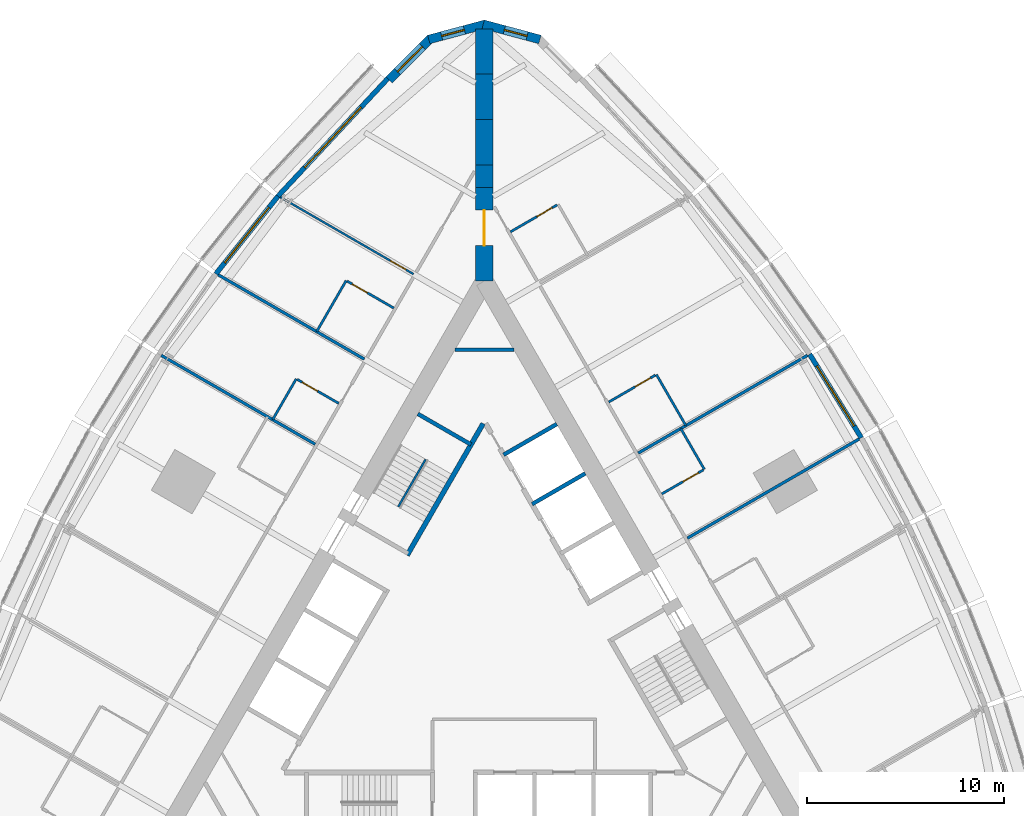
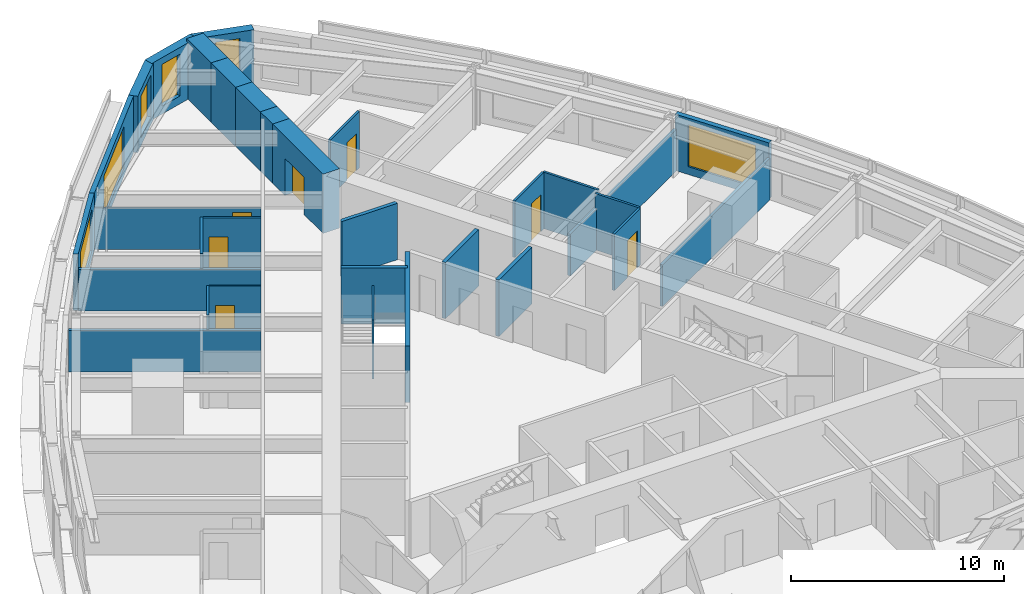
# One storey, part 12 of 14: 31 walls, 7 doors, 6 windows, 13 openings.
"""IFC4 building model written with IfcOpenShell, lengths in metres."""

from ifc_helpers import new_model, si_unit, direction, frame, frame_2d, origin, place, context, subcontext, project, spatial, polyline, rectangle, outline, extrude, material, layer, layer_set, type_object, element, fill, save


model = new_model("IFC4")

# Units and contexts
model_context = context("Model", 3, precision=1e-05, world=origin(), true_north=direction((0.0, 1.0)))
body_context = subcontext(model_context, "Body", "Model", "MODEL_VIEW")
ifc_project = project(units=[si_unit("LENGTHUNIT", "METRE"), si_unit("AREAUNIT", "SQUARE_METRE"), si_unit("VOLUMEUNIT", "CUBIC_METRE"), si_unit("PLANEANGLEUNIT", "RADIAN"), si_unit("MASSUNIT", "GRAM", prefix="KILO")], contexts=[model_context])

# Site, building, storey
site_placement = place(None, origin())
site = spatial("IfcSite", under=ifc_project, at=site_placement, CompositionType="ELEMENT")
building_placement = place(site_placement, origin())
building = spatial("IfcBuilding", under=site, at=building_placement, Name="Trikona Tower", CompositionType="ELEMENT")
storey_placement = place(building_placement, frame((0.0, 0.0, 62.5)))
storey = spatial("IfcBuildingStorey", under=building, at=storey_placement, Name="L15", CompositionType="ELEMENT", Elevation=62.5)

# Wall
ifc_material_1 = material(Name="Metal stud and cement board", Category="gypsum")
ifc_layer_1 = layer(ifc_material_1, 0.1201171875)
ifc_layer_set_1 = layer_set([ifc_layer_1], Name="Bathroom wall 120")
wall_type_1 = type_object("IfcWallType", Name="Bathroom wall 120", PredefinedType="PLUMBINGWALL", material=ifc_layer_set_1)
wall_1_placement = place(storey_placement, frame((11.193603515625, 9.46484375, 0.0), z_axis=(0.0, 0.0, 1.0), x_axis=(-0.500077600433, 0.865980596518, 0.0)))
element("IfcWall", 1, at=wall_1_placement, inside=storey, type_object=wall_type_1, Name="Bathroom wall 1510", PredefinedType="PLUMBINGWALL", context=body_context, shape_type="SweptSolid", body=[
    extrude(rectangle(XDim=2.39990234375, YDim=0.1201171875, at=frame_2d((1.199951171875, 0.0))), origin(), (0.0, 0.0, 1.0), 3.235107421875),
])

# Wall, opening, door
wall_2_placement = place(storey_placement, frame((9.028564453125, 8.21484375, 0.0), z_axis=(0.0, 0.0, 1.0), x_axis=(0.866023955769, 0.500002508028, 0.0)))
wall_2 = element("IfcWall", 2, at=wall_2_placement, inside=storey, type_object=wall_type_1, Name="Bathroom wall 1510", PredefinedType="PLUMBINGWALL", context=body_context, shape_type="SweptSolid", body=[
    extrude(rectangle(XDim=2.43994140625, YDim=0.1201171875, at=frame_2d((1.219970703125, 0.0))), origin(), (0.0, 0.0, 1.0), 3.235107421875),
])
opening_1_placement = place(wall_2_placement, frame((1.25, 0.0, 0.0)))
opening_1 = element("IfcOpeningElement", 3, at=opening_1_placement, cuts=wall_2, Name="Opening D2", PredefinedType="OPENING", context=body_context, shape_type="SweptSolid", body=[
    extrude(rectangle(XDim=0.89990234375, YDim=2.1298828125, at=frame_2d((0.449951171875, 1.06494140625))), frame((0.0, 0.070068359375, 0.0), z_axis=(0.0, -1.0, 0.0), x_axis=(1.0, 0.0, 0.0)), (0.0, 0.0, 1.0), 0.14013671875),
])
ifc_material_2 = material(Name="Steel door frame with solid-core timber leaf", Category="steel")
door_type_1 = type_object("IfcDoorType", Name="Bathroom door 900x2130", OperationType="SLIDING_TO_LEFT", PredefinedType="DOOR", material=ifc_material_2)
door_1_placement = place(opening_1_placement, origin())
door_1 = element("IfcDoor", 4, at=door_1_placement, inside=storey, type_object=door_type_1, Name="Bathroom door 1510", OperationType="SLIDING_TO_LEFT", OverallHeight=2.1298828125, OverallWidth=0.89990234375, PredefinedType="DOOR", context=body_context, shape_type="SweptSolid", body=[
    extrude(rectangle(XDim=0.89990234375, YDim=2.1298828125, at=frame_2d((0.449951171875, 1.06494140625))), frame((0.0, 0.02490234375, 0.0), z_axis=(0.0, -1.0, 0.0), x_axis=(1.0, 0.0, 0.0)), (0.0, 0.0, 1.0), 0.050048828125),
])
fill(opening_1, door_1)

# Wall
wall_3_placement = place(storey_placement, frame((10.25341796875, 11.693359375, 0.0), z_axis=(0.0, 0.0, 1.0), x_axis=(-0.50002537861, 0.866010750942, 0.0)))
element("IfcWall", 5, at=wall_3_placement, inside=storey, type_object=wall_type_1, Name="Bathroom wall 1511", PredefinedType="PLUMBINGWALL", context=body_context, shape_type="SweptSolid", body=[
    extrude(rectangle(XDim=2.999755859375, YDim=0.1201171875, at=frame_2d((1.5, 0.0))), origin(), (0.0, 0.0, 1.0), 3.235107421875),
])

# Wall, opening, door
wall_4_placement = place(storey_placement, frame((6.32861328125, 12.891357421875, 0.0), z_axis=(0.0, 0.0, 1.0), x_axis=(0.866035715982, 0.499982138324, 0.0)))
wall_4 = element("IfcWall", 6, at=wall_4_placement, inside=storey, type_object=wall_type_1, Name="Bathroom wall 1511", PredefinedType="PLUMBINGWALL", context=body_context, shape_type="SweptSolid", body=[
    extrude(rectangle(XDim=2.73974609375, YDim=0.1201171875, at=frame_2d((1.369873046875, 0.0))), origin(), (0.0, 0.0, 1.0), 3.235107421875),
])
opening_2_placement = place(wall_4_placement, frame((1.550048828125, 0.0, 0.0)))
opening_2 = element("IfcOpeningElement", 7, at=opening_2_placement, cuts=wall_4, Name="Opening D2", PredefinedType="OPENING", context=body_context, shape_type="SweptSolid", body=[
    extrude(rectangle(XDim=0.89990234375, YDim=2.1298828125, at=frame_2d((0.449951171875, 1.06494140625))), frame((0.0, 0.070068359375, 0.0), z_axis=(0.0, -1.0, 0.0), x_axis=(1.0, 0.0, 0.0)), (0.0, 0.0, 1.0), 0.14013671875),
])
door_2_placement = place(opening_2_placement, origin())
door_2 = element("IfcDoor", 8, at=door_2_placement, inside=storey, type_object=door_type_1, Name="Bathroom door 1511", OperationType="SLIDING_TO_LEFT", OverallHeight=2.1298828125, OverallWidth=0.89990234375, PredefinedType="DOOR", context=body_context, shape_type="SweptSolid", body=[
    extrude(rectangle(XDim=0.89990234375, YDim=2.1298828125, at=frame_2d((0.449951171875, 1.06494140625))), frame((0.0, 0.02490234375, 0.0), z_axis=(0.0, -1.0, 0.0), x_axis=(1.0, 0.0, 0.0)), (0.0, 0.0, 1.0), 0.050048828125),
])
fill(opening_2, door_2)

wall_5_placement = place(storey_placement, frame((1.32861328125, 21.551513671875, 0.0), z_axis=(0.0, 0.0, 1.0), x_axis=(0.865997131366, 0.500048966069, 0.0)))
wall_5 = element("IfcWall", 9, at=wall_5_placement, inside=storey, type_object=wall_type_1, Name="Bathroom wall 1512", PredefinedType="PLUMBINGWALL", context=body_context, shape_type="SweptSolid", body=[
    extrude(rectangle(XDim=2.739990234375, YDim=0.1201171875, at=frame_2d((1.3701171875, 0.0))), origin(), (0.0, 0.0, 1.0), 3.235107421875),
])
opening_3_placement = place(wall_5_placement, frame((1.550048828125, 0.0, 0.0)))
opening_3 = element("IfcOpeningElement", 10, at=opening_3_placement, cuts=wall_5, Name="Opening D2", PredefinedType="OPENING", context=body_context, shape_type="SweptSolid", body=[
    extrude(rectangle(XDim=0.89990234375, YDim=2.1298828125, at=frame_2d((0.449951171875, 1.06494140625))), frame((0.0, 0.070068359375, 0.0), z_axis=(0.0, -1.0, 0.0), x_axis=(1.0, 0.0, 0.0)), (0.0, 0.0, 1.0), 0.14013671875),
])
door_3_placement = place(opening_3_placement, origin())
door_3 = element("IfcDoor", 11, at=door_3_placement, inside=storey, type_object=door_type_1, Name="Bathroom door 1512", OperationType="SLIDING_TO_LEFT", OverallHeight=2.1298828125, OverallWidth=0.89990234375, PredefinedType="DOOR", context=body_context, shape_type="SweptSolid", body=[
    extrude(rectangle(XDim=0.89990234375, YDim=2.1298828125, at=frame_2d((0.449951171875, 1.06494140625))), frame((0.0, 0.02490234375, 0.0), z_axis=(0.0, -1.0, 0.0), x_axis=(1.0, 0.0, 0.0)), (0.0, 0.0, 1.0), 0.050048828125),
])
fill(opening_3, door_3)

# Wall
wall_6_placement = place(storey_placement, frame((-7.03271484375, 19.071533203125, 0.0), z_axis=(0.0, 0.0, 1.0), x_axis=(-0.499990139034, -0.866031096941, 0.0)))
element("IfcWall", 12, at=wall_6_placement, inside=storey, type_object=wall_type_1, Name="Bathroom wall 1513.1", PredefinedType="PLUMBINGWALL", context=body_context, shape_type="SweptSolid", body=[
    extrude(rectangle(XDim=3.0, YDim=0.1201171875, at=frame_2d((1.5, 0.0))), origin(), (0.0, 0.0, 1.0), 3.235107421875),
])

# Wall, opening, door
wall_7_placement = place(storey_placement, frame((-4.60791015625, 17.67138671875, 0.0), z_axis=(0.0, 0.0, 1.0), x_axis=(-0.865997131366, 0.500048966069, 0.0)))
wall_7 = element("IfcWall", 13, at=wall_7_placement, inside=storey, type_object=wall_type_1, Name="Bathroom wall 1513.1", PredefinedType="PLUMBINGWALL", context=body_context, shape_type="SweptSolid", body=[
    extrude(rectangle(XDim=2.739990234375, YDim=0.1201171875, at=frame_2d((1.3701171875, 0.0))), origin(), (0.0, 0.0, 1.0), 3.235107421875),
])
opening_4_placement = place(wall_7_placement, frame((1.550048828125, 0.0, 0.0)))
opening_4 = element("IfcOpeningElement", 14, at=opening_4_placement, cuts=wall_7, Name="Opening D2", PredefinedType="OPENING", context=body_context, shape_type="SweptSolid", body=[
    extrude(rectangle(XDim=0.89990234375, YDim=2.1298828125, at=frame_2d((0.449951171875, 1.06494140625))), frame((0.0, 0.070068359375, 0.0), z_axis=(0.0, -1.0, 0.0), x_axis=(1.0, 0.0, 0.0)), (0.0, 0.0, 1.0), 0.14013671875),
])
door_4_placement = place(opening_4_placement, origin())
door_4 = element("IfcDoor", 15, at=door_4_placement, inside=storey, type_object=door_type_1, Name="Bathroom door 1513.1", OperationType="SLIDING_TO_LEFT", OverallHeight=2.1298828125, OverallWidth=0.89990234375, PredefinedType="DOOR", context=body_context, shape_type="SweptSolid", body=[
    extrude(rectangle(XDim=0.89990234375, YDim=2.1298828125, at=frame_2d((0.449951171875, 1.06494140625))), frame((0.0, 0.02490234375, 0.0), z_axis=(0.0, -1.0, 0.0), x_axis=(1.0, 0.0, 0.0)), (0.0, 0.0, 1.0), 0.050048828125),
])
fill(opening_4, door_4)

# Wall
wall_8_placement = place(storey_placement, frame((-9.572998046875, 14.07177734375, 0.0), z_axis=(0.0, 0.0, 1.0), x_axis=(-0.500001309137, -0.866024647952, 0.0)))
element("IfcWall", 16, at=wall_8_placement, inside=storey, type_object=wall_type_1, Name="Bathroom wall 1514", PredefinedType="PLUMBINGWALL", context=body_context, shape_type="SweptSolid", body=[
    extrude(rectangle(XDim=2.39990234375, YDim=0.1201171875, at=frame_2d((1.199951171875, 0.0))), origin(), (0.0, 0.0, 1.0), 3.235107421875),
])

# Wall, opening, door
wall_9_placement = place(storey_placement, frame((-7.407958984375, 12.82177734375, 0.0), z_axis=(0.0, 0.0, 1.0), x_axis=(-0.866023955769, 0.500002508028, 0.0)))
wall_9 = element("IfcWall", 17, at=wall_9_placement, inside=storey, type_object=wall_type_1, Name="Bathroom wall 1514", PredefinedType="PLUMBINGWALL", context=body_context, shape_type="SweptSolid", body=[
    extrude(rectangle(XDim=2.43994140625, YDim=0.1201171875, at=frame_2d((1.219970703125, 0.0))), origin(), (0.0, 0.0, 1.0), 3.235107421875),
])
opening_5_placement = place(wall_9_placement, frame((1.25, 0.0, 0.0)))
opening_5 = element("IfcOpeningElement", 18, at=opening_5_placement, cuts=wall_9, Name="Opening D2", PredefinedType="OPENING", context=body_context, shape_type="SweptSolid", body=[
    extrude(rectangle(XDim=0.89990234375, YDim=2.1298828125, at=frame_2d((0.449951171875, 1.06494140625))), frame((0.0, 0.070068359375, 0.0), z_axis=(0.0, -1.0, 0.0), x_axis=(1.0, 0.0, 0.0)), (0.0, 0.0, 1.0), 0.14013671875),
])
door_5_placement = place(opening_5_placement, origin())
door_5 = element("IfcDoor", 19, at=door_5_placement, inside=storey, type_object=door_type_1, Name="Bathroom door 1514", OperationType="SLIDING_TO_LEFT", OverallHeight=2.1298828125, OverallWidth=0.89990234375, PredefinedType="DOOR", context=body_context, shape_type="SweptSolid", body=[
    extrude(rectangle(XDim=0.89990234375, YDim=2.1298828125, at=frame_2d((0.449951171875, 1.06494140625))), frame((0.0, 0.02490234375, 0.0), z_axis=(0.0, -1.0, 0.0), x_axis=(1.0, 0.0, 0.0)), (0.0, 0.0, 1.0), 0.050048828125),
])
fill(opening_5, door_5)

# Wall, opening, window
ifc_material_3 = material(Name="Brick-faced precast concrete", Category="masonry")
ifc_layer_2 = layer(ifc_material_3, 0.449951171875)
ifc_layer_set_2 = layer_set([ifc_layer_2], Name="Brick-faced corner wall 450")
wall_type_2 = type_object("IfcWallType", Name="Brick-faced corner wall 450", PredefinedType="SOLIDWALL", material=ifc_layer_set_2)
wall_10_placement = place(storey_placement, frame((2.82861328125, 31.3408203125, 0.0), z_axis=(0.0, 0.0, 1.0), x_axis=(-0.965930548995, 0.258801419081, 0.0)))
wall_10 = element("IfcWall", 20, at=wall_10_placement, inside=storey, type_object=wall_type_2, Name="External wall L15-21", PredefinedType="SOLIDWALL", context=body_context, shape_type="SweptSolid", body=[
    extrude(outline(polyline([(2.988525390625, 0.22509765625), (2.92919921875, 0.22509765625), (2.4375, 0.09326171875), (2.40234375, 0.22509765625), (0.0, 0.22509765625), (0.0, -0.22509765625), (2.988525390625, -0.22509765625), (2.988525390625, 0.22509765625)])), origin(), (0.0, 0.0, 1.0), 3.235107421875),
])
opening_6_placement = place(wall_10_placement, frame((0.676025390625, 0.0, 0.449951171875)))
opening_6 = element("IfcOpeningElement", 21, at=opening_6_placement, cuts=wall_10, Name="Opening W1224", PredefinedType="OPENING", context=body_context, shape_type="SweptSolid", body=[
    extrude(rectangle(XDim=1.199951171875, YDim=2.39990234375, at=frame_2d((0.60009765625, 1.199951171875))), frame((0.0, 0.23486328125, 0.0), z_axis=(0.0, -1.0, 0.0), x_axis=(1.0, 0.0, 0.0)), (0.0, 0.0, 1.0), 0.469970703125),
])
ifc_material_4 = material(Name="Aluminium-framed double glazing", Category="aluminium")
window_type_1 = type_object("IfcWindowType", Name="Window 1200x2400", PartitioningType="SINGLE_PANEL", PredefinedType="WINDOW", material=ifc_material_4)
window_1_placement = place(opening_6_placement, origin())
window_1 = element("IfcWindow", 22, at=window_1_placement, inside=storey, type_object=window_type_1, Name="Window 1512", OverallHeight=2.39990234375, OverallWidth=1.199951171875, PartitioningType="SINGLE_PANEL", PredefinedType="WINDOW", context=body_context, shape_type="SweptSolid", body=[
    extrude(rectangle(XDim=1.199951171875, YDim=2.39990234375, at=frame_2d((0.60009765625, 1.199951171875))), frame((0.0, 0.030029296875, 0.0), z_axis=(0.0, -1.0, 0.0), x_axis=(1.0, 0.0, 0.0)), (0.0, 0.0, 1.0), 0.06005859375),
])
fill(opening_6, window_1)

wall_11_placement = place(storey_placement, frame((0.05810546875, 32.1142578125, 0.0), z_axis=(0.0, 0.0, 1.0), x_axis=(-0.965930548995, -0.258801419081, 0.0)))
wall_11 = element("IfcWall", 23, at=wall_11_placement, inside=storey, type_object=wall_type_2, Name="External wall L15-22", PredefinedType="SOLIDWALL", context=body_context, shape_type="SweptSolid", body=[
    extrude(outline(polyline([(2.988525390625, 0.22509765625), (0.58642578125, 0.22509765625), (0.551025390625, 0.09326171875), (0.059326171875, 0.22509765625), (0.0, 0.22509765625), (0.0, -0.22509765625), (2.988525390625, -0.22509765625), (2.988525390625, 0.22509765625)])), origin(), (0.0, 0.0, 1.0), 3.235107421875),
])
opening_7_placement = place(wall_11_placement, frame((1.112548828125, 0.0, 0.449951171875)))
opening_7 = element("IfcOpeningElement", 24, at=opening_7_placement, cuts=wall_11, Name="Opening W1224", PredefinedType="OPENING", context=body_context, shape_type="SweptSolid", body=[
    extrude(rectangle(XDim=1.199951171875, YDim=2.39990234375, at=frame_2d((0.60009765625, 1.199951171875))), frame((0.0, 0.23486328125, 0.0), z_axis=(0.0, -1.0, 0.0), x_axis=(1.0, 0.0, 0.0)), (0.0, 0.0, 1.0), 0.469970703125),
])
window_2_placement = place(opening_7_placement, origin())
window_2 = element("IfcWindow", 25, at=window_2_placement, inside=storey, type_object=window_type_1, Name="Window 1513", OverallHeight=2.39990234375, OverallWidth=1.199951171875, PartitioningType="SINGLE_PANEL", PredefinedType="WINDOW", context=body_context, shape_type="SweptSolid", body=[
    extrude(rectangle(XDim=1.199951171875, YDim=2.39990234375, at=frame_2d((0.60009765625, 1.199951171875))), frame((0.0, 0.030029296875, 0.0), z_axis=(0.0, -1.0, 0.0), x_axis=(1.0, 0.0, 0.0)), (0.0, 0.0, 1.0), 0.06005859375),
])
fill(opening_7, window_2)

wall_12_placement = place(storey_placement, frame((-2.727783203125, 31.39892578125, 0.0), z_axis=(0.0, 0.0, 1.0), x_axis=(-0.707106781187, -0.707106781187, 0.0)))
wall_12 = element("IfcWall", 26, at=wall_12_placement, inside=storey, type_object=wall_type_2, Name="External wall L15-23", PredefinedType="SOLIDWALL", context=body_context, shape_type="SweptSolid", body=[
    extrude(rectangle(XDim=2.98828125, YDim=0.449951171875, at=frame_2d((1.494140625, 0.0))), origin(), (0.0, 0.0, 1.0), 3.235107421875),
])
opening_8_placement = place(wall_12_placement, frame((0.59423828125, 0.0, 0.449951171875)))
opening_8 = element("IfcOpeningElement", 27, at=opening_8_placement, cuts=wall_12, Name="Opening W1824", PredefinedType="OPENING", context=body_context, shape_type="SweptSolid", body=[
    extrude(rectangle(XDim=1.800048828125, YDim=2.39990234375, at=frame_2d((0.89990234375, 1.199951171875))), frame((0.0, 0.23486328125, 0.0), z_axis=(0.0, -1.0, 0.0), x_axis=(1.0, 0.0, 0.0)), (0.0, 0.0, 1.0), 0.469970703125),
])
ifc_material_5 = material(Name="Aluminium-framed double glazing", Category="aluminium")
window_type_2 = type_object("IfcWindowType", Name="Window 1800x2400", PartitioningType="SINGLE_PANEL", PredefinedType="WINDOW", material=ifc_material_5)
window_3_placement = place(opening_8_placement, origin())
window_3 = element("IfcWindow", 28, at=window_3_placement, inside=storey, type_object=window_type_2, Name="Window 1513", OverallHeight=2.39990234375, OverallWidth=1.800048828125, PartitioningType="SINGLE_PANEL", PredefinedType="WINDOW", context=body_context, shape_type="SweptSolid", body=[
    extrude(rectangle(XDim=1.800048828125, YDim=2.39990234375, at=frame_2d((0.89990234375, 1.199951171875))), frame((0.0, 0.030029296875, 0.0), z_axis=(0.0, -1.0, 0.0), x_axis=(1.0, 0.0, 0.0)), (0.0, 0.0, 1.0), 0.06005859375),
])
fill(opening_8, window_3)

# Wall, opening, door
ifc_material_6 = material(Name="Concrete f'c 10000 psi", Category="concrete")
ifc_layer_3 = layer(ifc_material_6, 0.89990234375)
ifc_layer_set_3 = layer_set([ifc_layer_3], Name="Buttress wall 900")
wall_type_3 = type_object("IfcWallType", Name="Buttress wall 900", PredefinedType="SHEAR", material=ifc_layer_set_3)
wall_13_placement = place(storey_placement, frame((0.0, 19.052490234375, 0.0), z_axis=(0.0, 0.0, 1.0), x_axis=(0.0, 1.0, 0.0)))
wall_13 = element("IfcWall", 29, at=wall_13_placement, inside=storey, type_object=wall_type_3, Name="Buttress wall 2", PredefinedType="SHEAR", context=body_context, shape_type="SweptSolid", body=[
    extrude(rectangle(XDim=4.74609375, YDim=0.89990234375, at=frame_2d((2.373046875, 0.0))), origin(), (0.0, 0.0, 1.0), 3.39990234375),
])
opening_9_placement = place(wall_13_placement, frame((1.800048828125, 0.0, 0.0)))
opening_9 = element("IfcOpeningElement", 30, at=opening_9_placement, cuts=wall_13, Name="Opening D10", PredefinedType="OPENING", context=body_context, shape_type="SweptSolid", body=[
    extrude(rectangle(XDim=1.800048828125, YDim=2.1298828125, at=frame_2d((0.89990234375, 1.06494140625))), frame((0.0, 0.4599609375, 0.0), z_axis=(0.0, -1.0, 0.0), x_axis=(1.0, 0.0, 0.0)), (0.0, 0.0, 1.0), 0.919921875),
])
ifc_material_7 = material(Name="Hollow metal door and frame", Category="steel")
door_type_2 = type_object("IfcDoorType", Name="Cross-corridor door pair 1800x2130", OperationType="DOUBLE_DOOR_DOUBLE_SWING", PredefinedType="DOOR", material=ifc_material_7)
door_6_placement = place(opening_9_placement, origin())
door_6 = element("IfcDoor", 31, at=door_6_placement, inside=storey, type_object=door_type_2, Name="Cross-corridor door 2", OperationType="DOUBLE_DOOR_DOUBLE_SWING", OverallHeight=2.1298828125, OverallWidth=1.800048828125, PredefinedType="DOOR", context=body_context, shape_type="SweptSolid", body=[
    extrude(rectangle(XDim=1.800048828125, YDim=2.1298828125, at=frame_2d((0.89990234375, 1.06494140625))), frame((0.0, 0.02490234375, 0.0), z_axis=(0.0, -1.0, 0.0), x_axis=(1.0, 0.0, 0.0)), (0.0, 0.0, 1.0), 0.050048828125),
])
fill(opening_9, door_6)

# Walls
wall_14_placement = place(storey_placement, frame((0.0, 23.798583984375, 0.0), z_axis=(0.0, 0.0, 1.0), x_axis=(0.0, 1.0, 0.0)))
element("IfcWall", 32, at=wall_14_placement, inside=storey, type_object=wall_type_3, Name="Buttress wall 2 part 2", PredefinedType="SHEAR", context=body_context, shape_type="SweptSolid", body=[
    extrude(rectangle(XDim=1.15478515625, YDim=0.89990234375, at=frame_2d((0.577392578125, 0.0))), origin(), (0.0, 0.0, 1.0), 3.39990234375),
])
wall_15_placement = place(storey_placement, frame((0.0, 24.953369140625, 0.0), z_axis=(0.0, 0.0, 1.0), x_axis=(0.0, 1.0, 0.0)))
element("IfcWall", 33, at=wall_15_placement, inside=storey, type_object=wall_type_3, Name="Buttress wall 2 part 3", PredefinedType="SHEAR", context=body_context, shape_type="SweptSolid", body=[
    extrude(rectangle(XDim=2.309326171875, YDim=0.89990234375, at=frame_2d((1.15478515625, 0.0))), origin(), (0.0, 0.0, 1.0), 3.39990234375),
])
wall_16_placement = place(storey_placement, frame((0.0, 27.2626953125, 0.0), z_axis=(0.0, 0.0, 1.0), x_axis=(0.0, 1.0, 0.0)))
element("IfcWall", 34, at=wall_16_placement, inside=storey, type_object=wall_type_3, Name="Buttress wall 2 part 4", PredefinedType="SHEAR", context=body_context, shape_type="SweptSolid", body=[
    extrude(rectangle(XDim=2.3095703125, YDim=0.89990234375, at=frame_2d((1.15478515625, 0.0))), origin(), (0.0, 0.0, 1.0), 3.39990234375),
])
wall_17_placement = place(storey_placement, frame((0.0, 29.572265625, 0.0), z_axis=(0.0, 0.0, 1.0), x_axis=(0.0, 1.0, 0.0)))
element("IfcWall", 35, at=wall_17_placement, inside=storey, type_object=wall_type_3, Name="Buttress wall 2 part 5", PredefinedType="SHEAR", context=body_context, shape_type="SweptSolid", body=[
    extrude(rectangle(XDim=2.309326171875, YDim=0.89990234375, at=frame_2d((1.15478515625, 0.0))), origin(), (0.0, 0.0, 1.0), 3.39990234375),
])
ifc_material_8 = material(Name="Concrete f'c 8000 psi", Category="concrete")
ifc_layer_4 = layer(ifc_material_8, 0.25)
ifc_layer_set_4 = layer_set([ifc_layer_4], Name="Hub wall 250")
wall_type_4 = type_object("IfcWallType", Name="Hub wall 250", PredefinedType="SOLIDWALL", material=ifc_layer_set_4)
wall_18_placement = place(storey_placement, frame((-0.0625, 11.794189453125, 0.0), z_axis=(0.0, 0.0, 1.0), x_axis=(-0.500006680225, -0.86602154692, 0.0)))
element("IfcWall", 36, at=wall_18_placement, inside=storey, type_object=wall_type_4, Name="Lift lobby wall C1", PredefinedType="SOLIDWALL", context=body_context, shape_type="SweptSolid", body=[
    extrude(rectangle(XDim=7.73291015625, YDim=0.25, at=frame_2d((3.866455078125, 0.0))), origin(), (0.0, 0.0, 1.0), 3.235107421875),
])

# Wall, opening, window
ifc_material_9 = material(Name="Insulated precast concrete spandrel panel", Category="concrete")
ifc_layer_5 = layer(ifc_material_9, 0.25)
ifc_layer_set_5 = layer_set([ifc_layer_5], Name="Inner skin wall 250")
wall_type_5 = type_object("IfcWallType", Name="Inner skin wall 250", PredefinedType="STANDARD", material=ifc_layer_set_5)
wall_19_placement = place(storey_placement, frame((19.182373046875, 11.070556640625, 0.0), z_axis=(0.0, 0.0, 1.0), x_axis=(-0.526132807704, 0.850402415717, 0.0)))
wall_19 = element("IfcWall", 37, at=wall_19_placement, inside=storey, type_object=wall_type_5, Name="External wall L15-16", PredefinedType="STANDARD", context=body_context, shape_type="SweptSolid", body=[
    extrude(rectangle(XDim=5.002197265625, YDim=0.25, at=frame_2d((2.5009765625, 0.0))), origin(), (0.0, 0.0, 1.0), 3.235107421875),
])
opening_10_placement = place(wall_19_placement, frame((0.701171875, 0.0, 0.449951171875)))
opening_10 = element("IfcOpeningElement", 38, at=opening_10_placement, cuts=wall_19, Name="Opening W3624", PredefinedType="OPENING", context=body_context, shape_type="SweptSolid", body=[
    extrude(rectangle(XDim=3.60009765625, YDim=2.39990234375, at=frame_2d((1.800048828125, 1.199951171875))), frame((0.0, 0.135009765625, 0.0), z_axis=(0.0, -1.0, 0.0), x_axis=(1.0, 0.0, 0.0)), (0.0, 0.0, 1.0), 0.27001953125),
])
ifc_material_10 = material(Name="Aluminium-framed double glazing", Category="aluminium")
window_type_3 = type_object("IfcWindowType", Name="Window 3600x2400", PartitioningType="SINGLE_PANEL", PredefinedType="WINDOW", material=ifc_material_10)
window_4_placement = place(opening_10_placement, origin())
window_4 = element("IfcWindow", 39, at=window_4_placement, inside=storey, type_object=window_type_3, Name="Window 1510", OverallHeight=2.39990234375, OverallWidth=3.60009765625, PartitioningType="SINGLE_PANEL", PredefinedType="WINDOW", context=body_context, shape_type="SweptSolid", body=[
    extrude(rectangle(XDim=3.60009765625, YDim=2.39990234375, at=frame_2d((1.800048828125, 1.199951171875))), frame((0.0, 0.030029296875, 0.0), z_axis=(0.0, -1.0, 0.0), x_axis=(1.0, 0.0, 0.0)), (0.0, 0.0, 1.0), 0.06005859375),
])
fill(opening_10, window_4)

wall_20_placement = place(storey_placement, frame((-4.90869140625, 29.359619140625, 0.0), z_axis=(0.0, 0.0, 1.0), x_axis=(-0.682289646561, -0.731081964075, 0.0)))
wall_20 = element("IfcWall", 40, at=wall_20_placement, inside=storey, type_object=wall_type_5, Name="External wall L15-24", PredefinedType="STANDARD", context=body_context, shape_type="SweptSolid", body=[
    extrude(rectangle(XDim=8.2109375, YDim=0.25, at=frame_2d((4.10546875, 0.0))), origin(), (0.0, 0.0, 1.0), 3.235107421875),
])
opening_11_placement = place(wall_20_placement, frame((2.005615234375, 0.0, 0.449951171875)))
opening_11 = element("IfcOpeningElement", 41, at=opening_11_placement, cuts=wall_20, Name="Opening W4224", PredefinedType="OPENING", context=body_context, shape_type="SweptSolid", body=[
    extrude(rectangle(XDim=4.199951171875, YDim=2.39990234375, at=frame_2d((2.10009765625, 1.199951171875))), frame((0.0, 0.135009765625, 0.0), z_axis=(0.0, -1.0, 0.0), x_axis=(1.0, 0.0, 0.0)), (0.0, 0.0, 1.0), 0.27001953125),
])
ifc_material_11 = material(Name="Aluminium-framed double glazing", Category="aluminium")
window_type_4 = type_object("IfcWindowType", Name="Window 4200x2400", PartitioningType="SINGLE_PANEL", PredefinedType="WINDOW", material=ifc_material_11)
window_5_placement = place(opening_11_placement, origin())
window_5 = element("IfcWindow", 42, at=window_5_placement, inside=storey, type_object=window_type_4, Name="Window 1513", OverallHeight=2.39990234375, OverallWidth=4.199951171875, PartitioningType="SINGLE_PANEL", PredefinedType="WINDOW", context=body_context, shape_type="SweptSolid", body=[
    extrude(rectangle(XDim=4.199951171875, YDim=2.39990234375, at=frame_2d((2.10009765625, 1.199951171875))), frame((0.0, 0.030029296875, 0.0), z_axis=(0.0, -1.0, 0.0), x_axis=(1.0, 0.0, 0.0)), (0.0, 0.0, 1.0), 0.06005859375),
])
fill(opening_11, window_5)

wall_21_placement = place(storey_placement, frame((-10.5048828125, 23.36376953125, 0.0), z_axis=(0.0, 0.0, 1.0), x_axis=(-0.624594965756, -0.780948864364, 0.0)))
wall_21 = element("IfcWall", 43, at=wall_21_placement, inside=storey, type_object=wall_type_5, Name="External wall L15-25", PredefinedType="STANDARD", context=body_context, shape_type="SweptSolid", body=[
    extrude(rectangle(XDim=5.0576171875, YDim=0.25, at=frame_2d((2.52880859375, 0.0))), origin(), (0.0, 0.0, 1.0), 3.235107421875),
])
opening_12_placement = place(wall_21_placement, frame((0.728759765625, 0.0, 0.449951171875)))
opening_12 = element("IfcOpeningElement", 44, at=opening_12_placement, cuts=wall_21, Name="Opening W3624", PredefinedType="OPENING", context=body_context, shape_type="SweptSolid", body=[
    extrude(rectangle(XDim=3.60009765625, YDim=2.39990234375, at=frame_2d((1.800048828125, 1.199951171875))), frame((0.0, 0.135009765625, 0.0), z_axis=(0.0, -1.0, 0.0), x_axis=(1.0, 0.0, 0.0)), (0.0, 0.0, 1.0), 0.27001953125),
])
window_6_placement = place(opening_12_placement, origin())
window_6 = element("IfcWindow", 45, at=window_6_placement, inside=storey, type_object=window_type_3, Name="Window 1513.1", OverallHeight=2.39990234375, OverallWidth=3.60009765625, PartitioningType="SINGLE_PANEL", PredefinedType="WINDOW", context=body_context, shape_type="SweptSolid", body=[
    extrude(rectangle(XDim=3.60009765625, YDim=2.39990234375, at=frame_2d((1.800048828125, 1.199951171875))), frame((0.0, 0.030029296875, 0.0), z_axis=(0.0, -1.0, 0.0), x_axis=(1.0, 0.0, 0.0)), (0.0, 0.0, 1.0), 0.06005859375),
])
fill(opening_12, window_6)

# Walls
ifc_material_12 = material(Name="Metal stud and gypsum board, 1-hour acoustic", Category="gypsum")
ifc_layer_6 = layer(ifc_material_12, 0.14990234375)
ifc_layer_set_6 = layer_set([ifc_layer_6], Name="Party wall 150")
wall_type_6 = type_object("IfcWallType", Name="Party wall 150", PredefinedType="PARTITIONING", material=ifc_layer_set_6)
wall_22_placement = place(storey_placement, frame((10.32861328125, 5.963134765625, 0.0), z_axis=(0.0, 0.0, 1.0), x_axis=(0.866021688545, 0.500006434927, 0.0)))
element("IfcWall", 46, at=wall_22_placement, inside=storey, type_object=wall_type_6, Name="Partition L15 F2 u0", PredefinedType="PARTITIONING", context=body_context, shape_type="SweptSolid", body=[
    extrude(rectangle(XDim=10.095947265625, YDim=0.14990234375, at=frame_2d((5.0478515625, 0.0))), origin(), (0.0, 0.0, 1.0), 2.38916015625),
])
wall_23_placement = place(storey_placement, frame((7.82861328125, 10.293212890625, 0.0), z_axis=(0.0, 0.0, 1.0), x_axis=(0.866016302457, 0.50001576363, 0.0)))
element("IfcWall", 47, at=wall_23_placement, inside=storey, type_object=wall_type_6, Name="Partition L15 F2 u5", PredefinedType="PARTITIONING", context=body_context, shape_type="SweptSolid", body=[
    extrude(rectangle(XDim=9.943115234375, YDim=0.14990234375, at=frame_2d((4.9716796875, 0.0))), origin(), (0.0, 0.0, 1.0), 2.38916015625),
])
wall_24_placement = place(storey_placement, frame((-6.10791015625, 15.073486328125, 0.0), z_axis=(0.0, 0.0, 1.0), x_axis=(-0.866031196456, 0.499989966665, 0.0)))
element("IfcWall", 48, at=wall_24_placement, inside=storey, type_object=wall_type_6, Name="Partition L15 F3 u-10", PredefinedType="PARTITIONING", context=body_context, shape_type="SweptSolid", body=[
    extrude(rectangle(XDim=8.584716796875, YDim=0.14990234375, at=frame_2d((4.29248046875, 0.0))), origin(), (0.0, 0.0, 1.0), 2.38916015625),
])
wall_25_placement = place(storey_placement, frame((-8.60791015625, 10.743408203125, 0.0), z_axis=(0.0, 0.0, 1.0), x_axis=(-0.866028232062, 0.499995101247, 0.0)))
element("IfcWall", 49, at=wall_25_placement, inside=storey, type_object=wall_type_6, Name="Partition L15 F3 u-5", PredefinedType="PARTITIONING", context=body_context, shape_type="SweptSolid", body=[
    extrude(rectangle(XDim=9.04296875, YDim=0.14990234375, at=frame_2d((4.521484375, 0.0))), origin(), (0.0, 0.0, 1.0), 2.38916015625),
])
ifc_material_13 = material(Name="Concrete f'c 8000 psi", Category="concrete")
ifc_layer_7 = layer(ifc_material_13, 0.199951171875)
ifc_layer_set_7 = layer_set([ifc_layer_7], Name="Shaft wall 200")
wall_type_7 = type_object("IfcWallType", Name="Shaft wall 200", PredefinedType="SOLIDWALL", material=ifc_layer_set_7)
for number, where, z_axis, x_axis, name in (
    (50, (2.428955078125, 7.695556640625, 0.0), (0.0, 0.0, 1.0), (0.866022959057, 0.500004234368, 0.0), "Shaft wall B5"),
    (51, (0.97900390625, 10.20703125, 0.0), (0.0, 0.0, 1.0), (0.866022959057, 0.500004234368, 0.0), "Shaft wall B6"),
):
    element("IfcWall", number, at=place(storey_placement, frame(where, z_axis=z_axis, x_axis=x_axis)), inside=storey, type_object=wall_type_7, Name=name, PredefinedType="SOLIDWALL", context=body_context, shape_type="SweptSolid", body=[
        extrude(rectangle(XDim=3.125, YDim=0.199951171875, at=frame_2d((1.5625, 0.0))), origin(), (0.0, 0.0, 1.0), 3.235107421875),
    ])
wall_26_placement = place(storey_placement, frame((-1.501220703125, 15.552490234375, 0.0), z_axis=(0.0, 0.0, 1.0), x_axis=(1.0, 0.0, 0.0)))
element("IfcWall", 52, at=wall_26_placement, inside=storey, type_object=wall_type_7, Name="Riser wall L15-RS2", PredefinedType="SOLIDWALL", context=body_context, shape_type="SweptSolid", body=[
    extrude(rectangle(XDim=3.00244140625, YDim=0.199951171875, at=frame_2d((1.501220703125, 0.0))), origin(), (0.0, 0.0, 1.0), 3.235107421875),
])
ifc_material_14 = material(Name="Concrete f'c 8000 psi", Category="concrete")
ifc_layer_8 = layer(ifc_material_14, 0.199951171875)
ifc_layer_set_8 = layer_set([ifc_layer_8], Name="Shaft wall 200 load-bearing")
wall_type_8 = type_object("IfcWallType", Name="Shaft wall 200 load-bearing", PredefinedType="SOLIDWALL", material=ifc_layer_set_8)
wall_27_placement = place(storey_placement, frame((-0.678955078125, 10.7265625, 0.0), z_axis=(0.0, 0.0, 1.0), x_axis=(-0.866022959057, 0.500004234368, 0.0)))
element("IfcWall", 53, at=wall_27_placement, inside=storey, type_object=wall_type_8, Name="Shaft wall C1", PredefinedType="SOLIDWALL", context=body_context, shape_type="SweptSolid", body=[
    extrude(rectangle(XDim=3.125, YDim=0.199951171875, at=frame_2d((1.5625, 0.0))), origin(), (0.0, 0.0, 1.0), 3.235107421875),
])
ifc_material_15 = material(Name="Concrete f'c 5000 psi", Category="concrete")
ifc_layer_9 = layer(ifc_material_15, 0.10009765625)
ifc_layer_set_9 = layer_set([ifc_layer_9], Name="Stair spine wall 100")
wall_type_9 = type_object("IfcWallType", Name="Stair spine wall 100", PredefinedType="SOLIDWALL", material=ifc_layer_set_9)
wall_28_placement = place(storey_placement, frame((-2.98779296875, 9.9775390625, 0.0), z_axis=(0.0, 0.0, 1.0), x_axis=(-0.499992232847, -0.866029888106, 0.0)))
element("IfcWall", 54, at=wall_28_placement, inside=storey, type_object=wall_type_9, Name="Stair C spine wall L15", PredefinedType="SOLIDWALL", context=body_context, shape_type="SweptSolid", body=[
    extrude(rectangle(XDim=2.7939453125, YDim=0.10009765625, at=frame_2d((1.39697265625, 0.0))), origin(), (0.0, 0.0, 1.0), 3.39990234375),
])

# Wall, opening, door
ifc_material_16 = material(Name="Metal stud and gypsum board, acoustic", Category="gypsum")
ifc_layer_10 = layer(ifc_material_16, 0.10009765625)
ifc_layer_set_10 = layer_set([ifc_layer_10], Name="Suite partition 100")
wall_type_10 = type_object("IfcWallType", Name="Suite partition 100", PredefinedType="PARTITIONING", material=ifc_layer_set_10)
wall_29_placement = place(storey_placement, frame((-3.60791015625, 19.403564453125, 0.0), z_axis=(0.0, 0.0, 1.0), x_axis=(-0.866021300503, 0.500007107024, 0.0)))
wall_29 = element("IfcWall", 55, at=wall_29_placement, inside=storey, type_object=wall_type_10, Name="Suite partition L15 F3 u-15", PredefinedType="PARTITIONING", context=body_context, shape_type="SweptSolid", body=[
    extrude(rectangle(XDim=7.8203125, YDim=0.10009765625, at=frame_2d((3.91015625, 0.0))), origin(), (0.0, 0.0, 1.0), 2.38916015625),
])
opening_13_placement = place(wall_29_placement, frame((0.449951171875, 0.0, 0.0)))
opening_13 = element("IfcOpeningElement", 56, at=opening_13_placement, cuts=wall_29, Name="Opening D13", PredefinedType="OPENING", context=body_context, shape_type="SweptSolid", body=[
    extrude(rectangle(XDim=0.89990234375, YDim=2.1298828125, at=frame_2d((0.449951171875, 1.06494140625))), frame((0.0, 0.06005859375, 0.0), z_axis=(0.0, -1.0, 0.0), x_axis=(1.0, 0.0, 0.0)), (0.0, 0.0, 1.0), 0.1201171875),
])
ifc_material_17 = material(Name="Steel door frame with solid-core timber leaf", Category="steel")
door_type_3 = type_object("IfcDoorType", Name="Suite door 900x2130", OperationType="SINGLE_SWING_LEFT", PredefinedType="DOOR", material=ifc_material_17)
door_7_placement = place(opening_13_placement, origin())
door_7 = element("IfcDoor", 57, at=door_7_placement, inside=storey, type_object=door_type_3, Name="Suite door 1513", OperationType="SINGLE_SWING_LEFT", OverallHeight=2.1298828125, OverallWidth=0.89990234375, PredefinedType="DOOR", context=body_context, shape_type="SweptSolid", body=[
    extrude(rectangle(XDim=0.89990234375, YDim=2.1298828125, at=frame_2d((0.449951171875, 1.06494140625))), frame((0.0, 0.02490234375, 0.0), z_axis=(0.0, -1.0, 0.0), x_axis=(1.0, 0.0, 0.0)), (0.0, 0.0, 1.0), 0.050048828125),
])
fill(opening_13, door_7)

save(model, "model.ifc")
